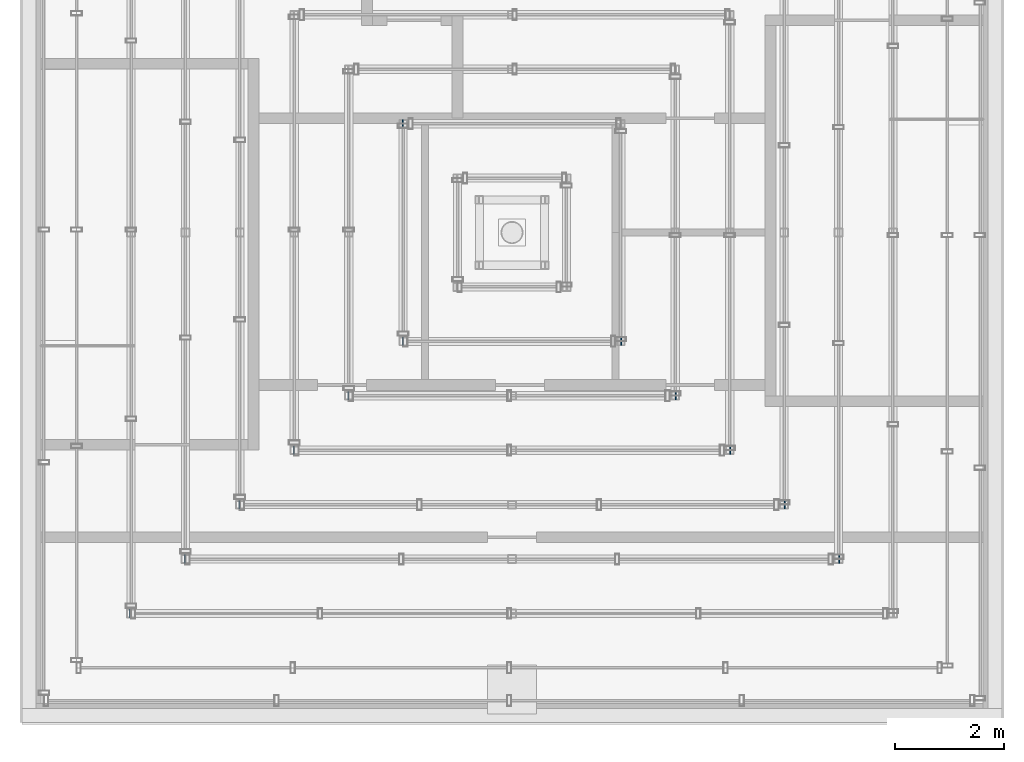
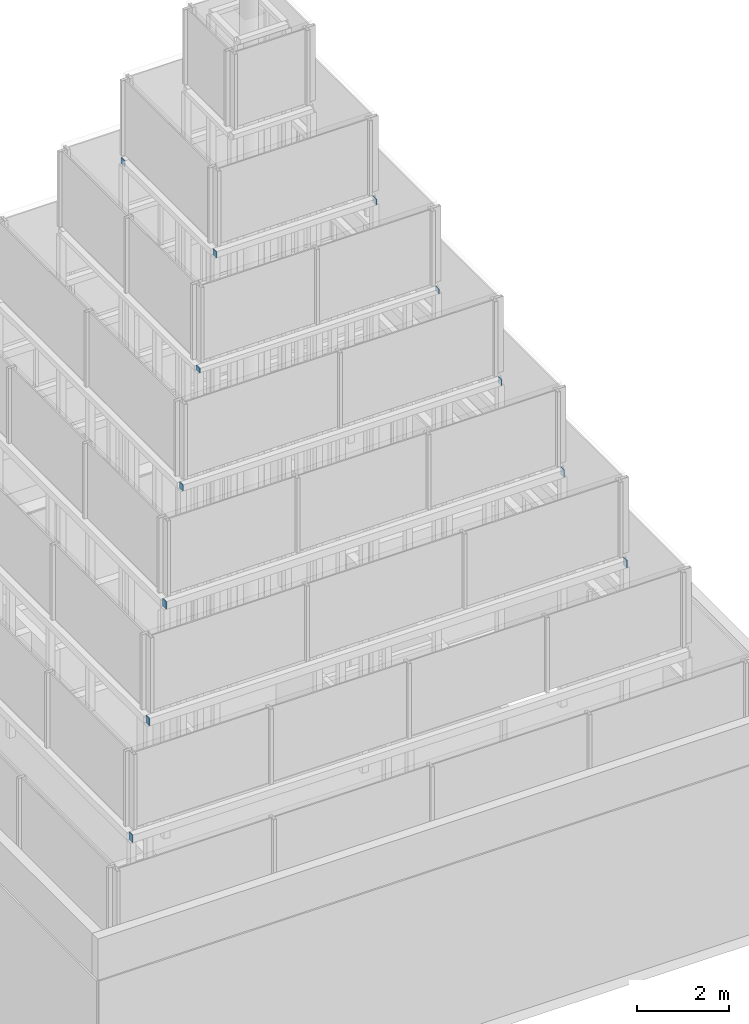
# One storey, part 20 of 24: 12 discrete accessories.
"""IFC4 building model written with IfcOpenShell, lengths in metres."""

from ifc_helpers import new_model, si_unit, direction, frame, origin, origin_2d, place, context, subcontext, project, spatial, rectangle, extrude, element, save


model = new_model("IFC4")

# Units and contexts
model_context = context("Model", 3, precision=1e-05, world=origin(), true_north=direction((0.0, 1.0)))
body_context = subcontext(model_context, "Body", "Model", "MODEL_VIEW")
ifc_project = project(units=[si_unit("LENGTHUNIT", "METRE"), si_unit("AREAUNIT", "SQUARE_METRE"), si_unit("VOLUMEUNIT", "CUBIC_METRE"), si_unit("PLANEANGLEUNIT", "RADIAN"), si_unit("MASSUNIT", "GRAM", prefix="KILO")], contexts=[model_context])

# Site, building, storey
site_placement = place(None, origin())
site = spatial("IfcSite", under=ifc_project, at=site_placement, CompositionType="ELEMENT")
building_placement = place(site_placement, origin())
building = spatial("IfcBuilding", under=site, at=building_placement, Name="Altepetl Exchange Towers", CompositionType="ELEMENT")
storey_placement = place(building_placement, frame((0.0, 0.0, 279.10009765625)))
storey = spatial("IfcBuildingStorey", under=building, at=storey_placement, Name="L70 Crown plant", CompositionType="ELEMENT", Elevation=279.10009765625)

# Discrete accessories
for number, where, z_axis, x_axis, name in (
    (1, (42.489990234375, 42.5, 6.2998046875), (0.0, 0.0, 1.0), (-1.0, 0.0, 0.0), "End cap plate"),
    (2, (43.489990234375, 43.5, 8.44970703125), (0.0, 0.0, 1.0), (-1.0, 0.0, 0.0), "End cap plate"),
):
    element("IfcDiscreteAccessory", number, at=place(storey_placement, frame(where, z_axis=z_axis, x_axis=x_axis)), inside=storey, Name=name, ObjectType="END CAP PLATE", PredefinedType="USERDEFINED", context=body_context, shape_type="SweptSolid", body=[
        extrude(rectangle(XDim=0.02001953125, YDim=0.14990234375, at=origin_2d()), origin(), (0.0, 0.0, 1.0), 0.199951171875),
    ])
discrete_accessory_1_placement = place(storey_placement, frame((55.510009765625, 43.5, 8.44970703125)))
element("IfcDiscreteAccessory", 3, at=discrete_accessory_1_placement, inside=storey, Name="End cap plate", ObjectType="END CAP PLATE", PredefinedType="USERDEFINED", context=body_context, shape_type="SweptSolid", body=[
    extrude(rectangle(XDim=0.02001953125, YDim=0.14990234375, at=origin_2d()), origin(), (0.0, 0.0, 1.0), 0.199951171875),
])
discrete_accessory_2_placement = place(storey_placement, frame((44.489990234375, 44.5, 10.60009765625), z_axis=(0.0, 0.0, 1.0), x_axis=(-1.0, 0.0, 0.0)))
element("IfcDiscreteAccessory", 4, at=discrete_accessory_2_placement, inside=storey, Name="End cap plate", ObjectType="END CAP PLATE", PredefinedType="USERDEFINED", context=body_context, shape_type="SweptSolid", body=[
    extrude(rectangle(XDim=0.02001953125, YDim=0.14990234375, at=origin_2d()), origin(), (0.0, 0.0, 1.0), 0.199951171875),
])
discrete_accessory_3_placement = place(storey_placement, frame((54.510009765625, 44.5, 10.60009765625)))
element("IfcDiscreteAccessory", 5, at=discrete_accessory_3_placement, inside=storey, Name="End cap plate", ObjectType="END CAP PLATE", PredefinedType="USERDEFINED", context=body_context, shape_type="SweptSolid", body=[
    extrude(rectangle(XDim=0.02001953125, YDim=0.14990234375, at=origin_2d()), origin(), (0.0, 0.0, 1.0), 0.199951171875),
])
discrete_accessory_4_placement = place(storey_placement, frame((45.489990234375, 45.5, 12.7900390625), z_axis=(0.0, 0.0, 1.0), x_axis=(-1.0, 0.0, 0.0)))
element("IfcDiscreteAccessory", 6, at=discrete_accessory_4_placement, inside=storey, Name="End cap plate", ObjectType="END CAP PLATE", PredefinedType="USERDEFINED", context=body_context, shape_type="SweptSolid", body=[
    extrude(rectangle(XDim=0.02001953125, YDim=0.14990234375, at=origin_2d()), origin(), (0.0, 0.0, 1.0), 0.159912109375),
])
discrete_accessory_5_placement = place(storey_placement, frame((53.510009765625, 45.5, 12.7900390625)))
element("IfcDiscreteAccessory", 7, at=discrete_accessory_5_placement, inside=storey, Name="End cap plate", ObjectType="END CAP PLATE", PredefinedType="USERDEFINED", context=body_context, shape_type="SweptSolid", body=[
    extrude(rectangle(XDim=0.02001953125, YDim=0.14990234375, at=origin_2d()), origin(), (0.0, 0.0, 1.0), 0.159912109375),
])
discrete_accessory_6_placement = place(storey_placement, frame((46.489990234375, 46.5, 14.979736328125), z_axis=(0.0, 0.0, 1.0), x_axis=(-1.0, 0.0, 0.0)))
element("IfcDiscreteAccessory", 8, at=discrete_accessory_6_placement, inside=storey, Name="End cap plate", ObjectType="END CAP PLATE", PredefinedType="USERDEFINED", context=body_context, shape_type="SweptSolid", body=[
    extrude(rectangle(XDim=0.02001953125, YDim=0.14990234375, at=origin_2d()), origin(), (0.0, 0.0, 1.0), 0.1201171875),
])
discrete_accessory_7_placement = place(storey_placement, frame((52.510009765625, 46.5, 14.979736328125)))
element("IfcDiscreteAccessory", 9, at=discrete_accessory_7_placement, inside=storey, Name="End cap plate", ObjectType="END CAP PLATE", PredefinedType="USERDEFINED", context=body_context, shape_type="SweptSolid", body=[
    extrude(rectangle(XDim=0.02001953125, YDim=0.14990234375, at=origin_2d()), origin(), (0.0, 0.0, 1.0), 0.1201171875),
])
discrete_accessory_8_placement = place(storey_placement, frame((47.489990234375, 47.5, 17.08984375), z_axis=(0.0, 0.0, 1.0), x_axis=(-1.0, 0.0, 0.0)))
element("IfcDiscreteAccessory", 10, at=discrete_accessory_8_placement, inside=storey, Name="End cap plate", ObjectType="END CAP PLATE", PredefinedType="USERDEFINED", context=body_context, shape_type="SweptSolid", body=[
    extrude(rectangle(XDim=0.02001953125, YDim=0.14990234375, at=origin_2d()), origin(), (0.0, 0.0, 1.0), 0.159912109375),
])
discrete_accessory_9_placement = place(storey_placement, frame((51.510009765625, 47.5, 17.08984375)))
element("IfcDiscreteAccessory", 11, at=discrete_accessory_9_placement, inside=storey, Name="End cap plate", ObjectType="END CAP PLATE", PredefinedType="USERDEFINED", context=body_context, shape_type="SweptSolid", body=[
    extrude(rectangle(XDim=0.02001953125, YDim=0.14990234375, at=origin_2d()), origin(), (0.0, 0.0, 1.0), 0.159912109375),
])
discrete_accessory_10_placement = place(storey_placement, frame((47.489990234375, 51.5, 17.08984375), z_axis=(0.0, 0.0, 1.0), x_axis=(-1.0, 0.0, 0.0)))
element("IfcDiscreteAccessory", 12, at=discrete_accessory_10_placement, inside=storey, Name="End cap plate", ObjectType="END CAP PLATE", PredefinedType="USERDEFINED", context=body_context, shape_type="SweptSolid", body=[
    extrude(rectangle(XDim=0.02001953125, YDim=0.14990234375, at=origin_2d()), origin(), (0.0, 0.0, 1.0), 0.159912109375),
])

save(model, "model.ifc")
